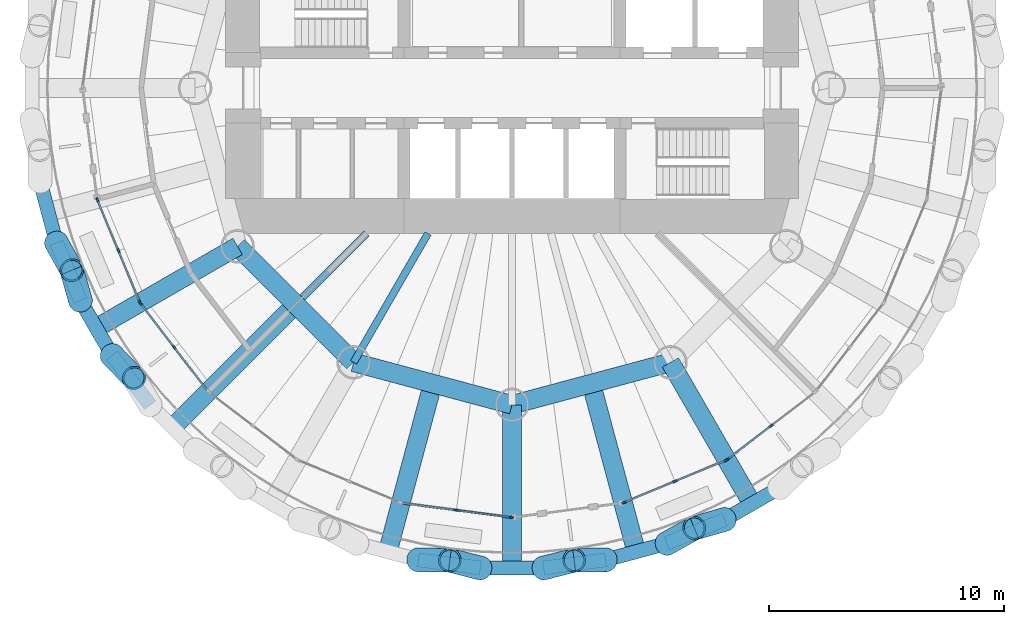
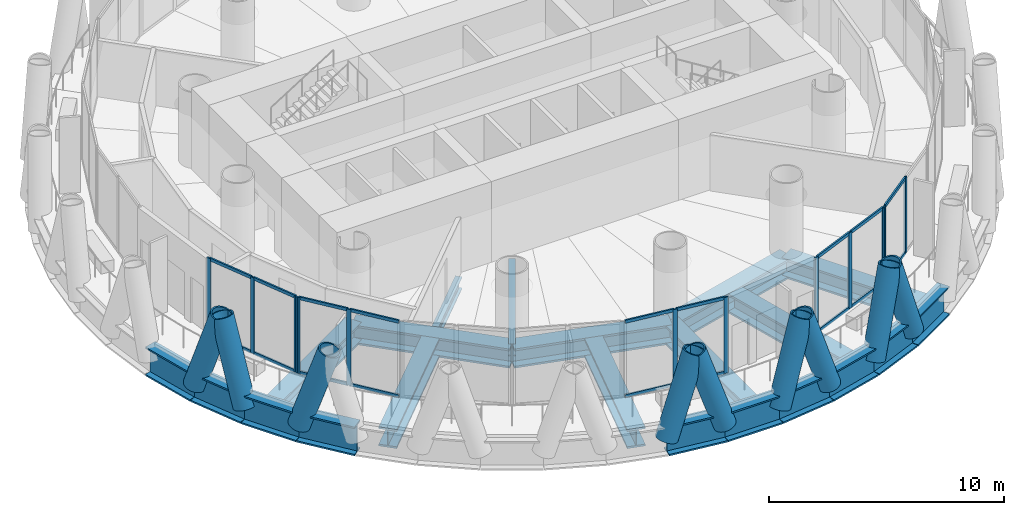
# One storey, part 2 of 13: 39 members, 21 beams, 5 elements without a shape of their own.
"""IFC4 building model written with IfcOpenShell, lengths in metres."""

from ifc_helpers import new_model, si_unit, direction, frame, origin, origin_2d, place, context, subcontext, project, spatial, rectangle, hollow_circle, i_section, extrude, material, material_profile, profile_set, type_object, element, aggregate, save


model = new_model("IFC4")

# Units and contexts
model_context = context("Model", 3, precision=1e-05, world=origin(), true_north=direction((0.0, 1.0)))
body_context = subcontext(model_context, "Body", "Model", "MODEL_VIEW")
ifc_project = project(units=[si_unit("LENGTHUNIT", "METRE"), si_unit("AREAUNIT", "SQUARE_METRE"), si_unit("VOLUMEUNIT", "CUBIC_METRE"), si_unit("PLANEANGLEUNIT", "RADIAN"), si_unit("MASSUNIT", "GRAM", prefix="KILO")], contexts=[model_context])

# Site, building, storey
site_placement = place(None, origin())
site = spatial("IfcSite", under=ifc_project, at=site_placement, CompositionType="ELEMENT")
building_placement = place(site_placement, origin())
building = spatial("IfcBuilding", under=site, at=building_placement, Name="Qaws Media Tower", CompositionType="ELEMENT")
storey_placement = place(building_placement, frame((0.0, 0.0, 282.199951171875)))
storey = spatial("IfcBuildingStorey", under=building, at=storey_placement, Name="L65", CompositionType="ELEMENT", Elevation=282.199951171875)

# Curtain wall, members
ifc_material_1 = material(Name="Aluminium and clear glass", Category="aluminium")
curtain_wall_type = type_object("IfcCurtainWallType", Name="Unitised curtain wall CW-D", PredefinedType="NOTDEFINED", material=ifc_material_1)
curtain_wall_1_placement = place(storey_placement, origin())
curtain_wall_1 = element("IfcCurtainWall", 1, at=curtain_wall_1_placement, inside=storey, type_object=curtain_wall_type, Name="CWD curtain wall L65-14", PredefinedType="NOTDEFINED")
ifc_material_2 = material(Name="Aluminium mullion", Category="aluminium")
ifc_material_profile_1 = material_profile(ifc_material_2, rectangle(XDim=0.080078125, YDim=0.199951171875, at=origin_2d()), Name="80x200")
ifc_profile_set_1 = profile_set([ifc_material_profile_1], Name="Aluminium mullion")
member_type_1 = type_object("IfcMemberType", Name="Curtain wall mullion 80x200", PredefinedType="MULLION", material=ifc_profile_set_1)
member_1_placement = place(storey_placement, frame((42.3388671875, 45.2265625, 0.0), z_axis=(0.0, 0.0, 1.0), x_axis=(0.923879498114, 0.382683515407, 0.0)))
member_1 = element("IfcMember", 2, at=member_1_placement, type_object=member_type_1, Name="CWD mullion 1", PredefinedType="MULLION", context=body_context, shape_type="SweptSolid", body=[
    extrude(rectangle(XDim=0.080078125, YDim=0.199951171875, at=origin_2d()), origin(), (0.0, 0.0, 1.0), 3.949951171875),
])
member_2_placement = place(storey_placement, frame((43.237548828125, 43.056884765625, 0.0), z_axis=(0.0, 0.0, 1.0), x_axis=(0.923879498114, 0.382683515407, 0.0)))
member_2 = element("IfcMember", 3, at=member_2_placement, type_object=member_type_1, Name="CWD mullion 2", PredefinedType="MULLION", context=body_context, shape_type="SweptSolid", body=[
    extrude(rectangle(XDim=0.080078125, YDim=0.199951171875, at=origin_2d()), origin(), (0.0, 0.0, 1.0), 3.949951171875),
])
member_3_placement = place(storey_placement, frame((44.136474609375, 40.886962890625, 0.0), z_axis=(0.0, 0.0, 1.0), x_axis=(0.923879498114, 0.382683515407, 0.0)))
member_3 = element("IfcMember", 4, at=member_3_placement, type_object=member_type_1, Name="CWD mullion 3", PredefinedType="MULLION", context=body_context, shape_type="SweptSolid", body=[
    extrude(rectangle(XDim=0.080078125, YDim=0.199951171875, at=origin_2d()), origin(), (0.0, 0.0, 1.0), 3.949951171875),
])

curtain_wall_2_placement = place(storey_placement, origin())
curtain_wall_2 = element("IfcCurtainWall", 5, at=curtain_wall_2_placement, inside=storey, type_object=curtain_wall_type, Name="CWD curtain wall L65-15", PredefinedType="NOTDEFINED")
member_4_placement = place(storey_placement, frame((44.176025390625, 40.818359375, 0.0), z_axis=(0.0, 0.0, 1.0), x_axis=(0.793353311997, 0.608761465882, 0.0)))
member_4 = element("IfcMember", 6, at=member_4_placement, type_object=member_type_1, Name="CWD mullion 1", PredefinedType="MULLION", context=body_context, shape_type="SweptSolid", body=[
    extrude(rectangle(XDim=0.080078125, YDim=0.199951171875, at=origin_2d()), origin(), (0.0, 0.0, 1.0), 3.949951171875),
])
member_5_placement = place(storey_placement, frame((45.60595703125, 38.955078125, 0.0), z_axis=(0.0, 0.0, 1.0), x_axis=(0.793353311997, 0.608761465882, 0.0)))
member_5 = element("IfcMember", 7, at=member_5_placement, type_object=member_type_1, Name="CWD mullion 2", PredefinedType="MULLION", context=body_context, shape_type="SweptSolid", body=[
    extrude(rectangle(XDim=0.080078125, YDim=0.199951171875, at=origin_2d()), origin(), (0.0, 0.0, 1.0), 3.949951171875),
])

curtain_wall_3_placement = place(storey_placement, origin())
curtain_wall_3 = element("IfcCurtainWall", 8, at=curtain_wall_3_placement, inside=storey, type_object=curtain_wall_type, Name="CWD curtain wall L65-18", PredefinedType="NOTDEFINED")
member_6_placement = place(storey_placement, frame((57.6318359375, 32.01171875, 0.0), z_axis=(0.0, 0.0, 1.0), x_axis=(0.130526101391, 0.991444873332, 0.0)))
member_6 = element("IfcMember", 9, at=member_6_placement, type_object=member_type_1, Name="CWD mullion 2", PredefinedType="MULLION", context=body_context, shape_type="SweptSolid", body=[
    extrude(rectangle(XDim=0.080078125, YDim=0.199951171875, at=origin_2d()), origin(), (0.0, 0.0, 1.0), 3.949951171875),
])
member_7_placement = place(storey_placement, frame((59.96044921875, 31.705322265625, 0.0), z_axis=(0.0, 0.0, 1.0), x_axis=(0.130526101391, 0.991444873332, 0.0)))
member_7 = element("IfcMember", 10, at=member_7_placement, type_object=member_type_1, Name="CWD mullion 3", PredefinedType="MULLION", context=body_context, shape_type="SweptSolid", body=[
    extrude(rectangle(XDim=0.080078125, YDim=0.199951171875, at=origin_2d()), origin(), (0.0, 0.0, 1.0), 3.949951171875),
])

curtain_wall_4_placement = place(storey_placement, origin())
curtain_wall_4 = element("IfcCurtainWall", 11, at=curtain_wall_4_placement, inside=storey, type_object=curtain_wall_type, Name="CWD curtain wall L65-20", PredefinedType="NOTDEFINED")
member_8_placement = place(storey_placement, frame((64.7734375, 32.3388671875, 0.0), z_axis=(0.0, 0.0, 1.0), x_axis=(-0.382683515407, 0.923879498114, 0.0)))
member_8 = element("IfcMember", 12, at=member_8_placement, type_object=member_type_1, Name="CWD mullion 1", PredefinedType="MULLION", context=body_context, shape_type="SweptSolid", body=[
    extrude(rectangle(XDim=0.080078125, YDim=0.199951171875, at=origin_2d()), origin(), (0.0, 0.0, 1.0), 3.949951171875),
])
member_9_placement = place(storey_placement, frame((66.943115234375, 33.237548828125, 0.0), z_axis=(0.0, 0.0, 1.0), x_axis=(-0.382683515407, 0.923879498114, 0.0)))
member_9 = element("IfcMember", 13, at=member_9_placement, type_object=member_type_1, Name="CWD mullion 2", PredefinedType="MULLION", context=body_context, shape_type="SweptSolid", body=[
    extrude(rectangle(XDim=0.080078125, YDim=0.199951171875, at=origin_2d()), origin(), (0.0, 0.0, 1.0), 3.949951171875),
])
member_10_placement = place(storey_placement, frame((69.113037109375, 34.136474609375, 0.0), z_axis=(0.0, 0.0, 1.0), x_axis=(-0.382683515407, 0.923879498114, 0.0)))
member_10 = element("IfcMember", 14, at=member_10_placement, type_object=member_type_1, Name="CWD mullion 3", PredefinedType="MULLION", context=body_context, shape_type="SweptSolid", body=[
    extrude(rectangle(XDim=0.080078125, YDim=0.199951171875, at=origin_2d()), origin(), (0.0, 0.0, 1.0), 3.949951171875),
])

curtain_wall_5_placement = place(storey_placement, origin())
curtain_wall_5 = element("IfcCurtainWall", 15, at=curtain_wall_5_placement, inside=storey, type_object=curtain_wall_type, Name="CWD curtain wall L65-21", PredefinedType="NOTDEFINED")
member_11_placement = place(storey_placement, frame((69.181640625, 34.176025390625, 0.0), z_axis=(0.0, 0.0, 1.0), x_axis=(-0.608761465882, 0.793353311997, 0.0)))
member_11 = element("IfcMember", 16, at=member_11_placement, type_object=member_type_1, Name="CWD mullion 1", PredefinedType="MULLION", context=body_context, shape_type="SweptSolid", body=[
    extrude(rectangle(XDim=0.080078125, YDim=0.199951171875, at=origin_2d()), origin(), (0.0, 0.0, 1.0), 3.949951171875),
])
member_12_placement = place(storey_placement, frame((71.044921875, 35.60595703125, 0.0), z_axis=(0.0, 0.0, 1.0), x_axis=(-0.608761465882, 0.793353311997, 0.0)))
member_12 = element("IfcMember", 17, at=member_12_placement, type_object=member_type_1, Name="CWD mullion 2", PredefinedType="MULLION", context=body_context, shape_type="SweptSolid", body=[
    extrude(rectangle(XDim=0.080078125, YDim=0.199951171875, at=origin_2d()), origin(), (0.0, 0.0, 1.0), 3.949951171875),
])

# Member
ifc_material_3 = material(Name="Aluminium transom", Category="aluminium")
ifc_material_profile_2 = material_profile(ifc_material_3, rectangle(XDim=0.080078125, YDim=0.159912109375, at=origin_2d()), Name="80x160")
ifc_profile_set_2 = profile_set([ifc_material_profile_2], Name="Aluminium transom")
member_type_2 = type_object("IfcMemberType", Name="Curtain wall transom 80x160", PredefinedType="USERDEFINED", material=ifc_profile_set_2)
member_13_placement = place(storey_placement, frame((42.354248046875, 45.189697265625, 0.0400390625), z_axis=(0.382681279912, -0.923880424084, 0.0), x_axis=(0.923880424084, 0.382681279912, 0.0)))
member_13 = element("IfcMember", 18, at=member_13_placement, type_object=member_type_2, Name="CWD transom 1.1", ObjectType="TRANSOM", PredefinedType="USERDEFINED", context=body_context, shape_type="SweptSolid", body=[
    extrude(rectangle(XDim=0.080078125, YDim=0.159912109375, at=origin_2d()), origin(), (0.0, 0.0, 1.0), 2.2685546875),
])

member_14_placement = place(storey_placement, frame((42.354248046875, 45.189697265625, 3.91015625), z_axis=(0.382681279912, -0.923880424084, 0.0), x_axis=(0.923880424084, 0.382681279912, 0.0)))
member_14 = element("IfcMember", 19, at=member_14_placement, type_object=member_type_2, Name="CWD transom 1.2", ObjectType="TRANSOM", PredefinedType="USERDEFINED", context=body_context, shape_type="SweptSolid", body=[
    extrude(rectangle(XDim=0.080078125, YDim=0.159912109375, at=origin_2d()), origin(), (0.0, 0.0, 1.0), 2.2685546875),
])

member_15_placement = place(storey_placement, frame((43.2529296875, 43.019775390625, 0.0400390625), z_axis=(0.382681279912, -0.923880424084, 0.0), x_axis=(0.923880424084, 0.382681279912, 0.0)))
member_15 = element("IfcMember", 20, at=member_15_placement, type_object=member_type_2, Name="CWD transom 2.1", ObjectType="TRANSOM", PredefinedType="USERDEFINED", context=body_context, shape_type="SweptSolid", body=[
    extrude(rectangle(XDim=0.080078125, YDim=0.159912109375, at=origin_2d()), origin(), (0.0, 0.0, 1.0), 2.2685546875),
])

member_16_placement = place(storey_placement, frame((43.2529296875, 43.019775390625, 3.91015625), z_axis=(0.382681279912, -0.923880424084, 0.0), x_axis=(0.923880424084, 0.382681279912, 0.0)))
member_16 = element("IfcMember", 21, at=member_16_placement, type_object=member_type_2, Name="CWD transom 2.2", ObjectType="TRANSOM", PredefinedType="USERDEFINED", context=body_context, shape_type="SweptSolid", body=[
    extrude(rectangle(XDim=0.080078125, YDim=0.159912109375, at=origin_2d()), origin(), (0.0, 0.0, 1.0), 2.2685546875),
])

aggregate(curtain_wall_1, [member_1, member_2, member_3, member_13, member_14, member_15, member_16])

member_17_placement = place(storey_placement, frame((44.200439453125, 40.78662109375, 0.0400390625), z_axis=(0.608779408493, -0.793339543824, 0.0), x_axis=(0.793339543824, 0.608779408493, 0.0)))
member_17 = element("IfcMember", 22, at=member_17_placement, type_object=member_type_2, Name="CWD transom 1.1", ObjectType="TRANSOM", PredefinedType="USERDEFINED", context=body_context, shape_type="SweptSolid", body=[
    extrude(rectangle(XDim=0.080078125, YDim=0.159912109375, at=origin_2d()), origin(), (0.0, 0.0, 1.0), 2.2685546875),
])

member_18_placement = place(storey_placement, frame((44.200439453125, 40.78662109375, 3.91015625), z_axis=(0.608779408493, -0.793339543824, 0.0), x_axis=(0.793339543824, 0.608779408493, 0.0)))
member_18 = element("IfcMember", 23, at=member_18_placement, type_object=member_type_2, Name="CWD transom 1.2", ObjectType="TRANSOM", PredefinedType="USERDEFINED", context=body_context, shape_type="SweptSolid", body=[
    extrude(rectangle(XDim=0.080078125, YDim=0.159912109375, at=origin_2d()), origin(), (0.0, 0.0, 1.0), 2.2685546875),
])

member_19_placement = place(storey_placement, frame((45.630126953125, 38.92333984375, 0.0400390625), z_axis=(0.608779408493, -0.793339543824, 0.0), x_axis=(0.793339543824, 0.608779408493, 0.0)))
member_19 = element("IfcMember", 24, at=member_19_placement, type_object=member_type_2, Name="CWD transom 2.1", ObjectType="TRANSOM", PredefinedType="USERDEFINED", context=body_context, shape_type="SweptSolid", body=[
    extrude(rectangle(XDim=0.080078125, YDim=0.159912109375, at=origin_2d()), origin(), (0.0, 0.0, 1.0), 2.2685546875),
])

member_20_placement = place(storey_placement, frame((45.630126953125, 38.92333984375, 3.91015625), z_axis=(0.608779408493, -0.793339543824, 0.0), x_axis=(0.793339543824, 0.608779408493, 0.0)))
member_20 = element("IfcMember", 25, at=member_20_placement, type_object=member_type_2, Name="CWD transom 2.2", ObjectType="TRANSOM", PredefinedType="USERDEFINED", context=body_context, shape_type="SweptSolid", body=[
    extrude(rectangle(XDim=0.080078125, YDim=0.159912109375, at=origin_2d()), origin(), (0.0, 0.0, 1.0), 2.2685546875),
])

aggregate(curtain_wall_2, [member_4, member_5, member_17, member_18, member_19, member_20])

member_21_placement = place(storey_placement, frame((55.343017578125, 32.313232421875, 0.0400390625), z_axis=(0.991441836118, -0.130549169259, 0.0), x_axis=(0.130549169259, 0.991441836118, 0.0)))
member_21 = element("IfcMember", 26, at=member_21_placement, type_object=member_type_2, Name="CWD transom 1.1", ObjectType="TRANSOM", PredefinedType="USERDEFINED", context=body_context, shape_type="SweptSolid", body=[
    extrude(rectangle(XDim=0.080078125, YDim=0.159912109375, at=origin_2d()), origin(), (0.0, 0.0, 1.0), 2.2685546875),
])

member_22_placement = place(storey_placement, frame((55.343017578125, 32.313232421875, 3.91015625), z_axis=(0.991441836118, -0.130549169259, 0.0), x_axis=(0.130549169259, 0.991441836118, 0.0)))
member_22 = element("IfcMember", 27, at=member_22_placement, type_object=member_type_2, Name="CWD transom 1.2", ObjectType="TRANSOM", PredefinedType="USERDEFINED", context=body_context, shape_type="SweptSolid", body=[
    extrude(rectangle(XDim=0.080078125, YDim=0.159912109375, at=origin_2d()), origin(), (0.0, 0.0, 1.0), 2.2685546875),
])

member_23_placement = place(storey_placement, frame((57.67138671875, 32.006591796875, 0.0400390625), z_axis=(0.991443670088, -0.130535240618, 0.0), x_axis=(0.130535240618, 0.991443670088, 0.0)))
member_23 = element("IfcMember", 28, at=member_23_placement, type_object=member_type_2, Name="CWD transom 2.1", ObjectType="TRANSOM", PredefinedType="USERDEFINED", context=body_context, shape_type="SweptSolid", body=[
    extrude(rectangle(XDim=0.080078125, YDim=0.159912109375, at=origin_2d()), origin(), (0.0, 0.0, 1.0), 2.268798828125),
])

member_24_placement = place(storey_placement, frame((57.67138671875, 32.006591796875, 3.91015625), z_axis=(0.991443670088, -0.130535240618, 0.0), x_axis=(0.130535240618, 0.991443670088, 0.0)))
member_24 = element("IfcMember", 29, at=member_24_placement, type_object=member_type_2, Name="CWD transom 2.2", ObjectType="TRANSOM", PredefinedType="USERDEFINED", context=body_context, shape_type="SweptSolid", body=[
    extrude(rectangle(XDim=0.080078125, YDim=0.159912109375, at=origin_2d()), origin(), (0.0, 0.0, 1.0), 2.268798828125),
])

aggregate(curtain_wall_3, [member_6, member_7, member_21, member_22, member_23, member_24])

member_25_placement = place(storey_placement, frame((64.810302734375, 32.354248046875, 0.0400390625), z_axis=(0.923880424084, 0.382681279912, 0.0), x_axis=(-0.382681279912, 0.923880424084, 0.0)))
member_25 = element("IfcMember", 30, at=member_25_placement, type_object=member_type_2, Name="CWD transom 1.1", ObjectType="TRANSOM", PredefinedType="USERDEFINED", context=body_context, shape_type="SweptSolid", body=[
    extrude(rectangle(XDim=0.080078125, YDim=0.159912109375, at=origin_2d()), origin(), (0.0, 0.0, 1.0), 2.2685546875),
])

member_26_placement = place(storey_placement, frame((64.810302734375, 32.354248046875, 3.91015625), z_axis=(0.923880424084, 0.382681279912, 0.0), x_axis=(-0.382681279912, 0.923880424084, 0.0)))
member_26 = element("IfcMember", 31, at=member_26_placement, type_object=member_type_2, Name="CWD transom 1.2", ObjectType="TRANSOM", PredefinedType="USERDEFINED", context=body_context, shape_type="SweptSolid", body=[
    extrude(rectangle(XDim=0.080078125, YDim=0.159912109375, at=origin_2d()), origin(), (0.0, 0.0, 1.0), 2.2685546875),
])

member_27_placement = place(storey_placement, frame((66.980224609375, 33.2529296875, 0.0400390625), z_axis=(0.923880424084, 0.382681279912, 0.0), x_axis=(-0.382681279912, 0.923880424084, 0.0)))
member_27 = element("IfcMember", 32, at=member_27_placement, type_object=member_type_2, Name="CWD transom 2.1", ObjectType="TRANSOM", PredefinedType="USERDEFINED", context=body_context, shape_type="SweptSolid", body=[
    extrude(rectangle(XDim=0.080078125, YDim=0.159912109375, at=origin_2d()), origin(), (0.0, 0.0, 1.0), 2.2685546875),
])

member_28_placement = place(storey_placement, frame((66.980224609375, 33.2529296875, 3.91015625), z_axis=(0.923880424084, 0.382681279912, 0.0), x_axis=(-0.382681279912, 0.923880424084, 0.0)))
member_28 = element("IfcMember", 33, at=member_28_placement, type_object=member_type_2, Name="CWD transom 2.2", ObjectType="TRANSOM", PredefinedType="USERDEFINED", context=body_context, shape_type="SweptSolid", body=[
    extrude(rectangle(XDim=0.080078125, YDim=0.159912109375, at=origin_2d()), origin(), (0.0, 0.0, 1.0), 2.2685546875),
])

aggregate(curtain_wall_4, [member_8, member_9, member_10, member_25, member_26, member_27, member_28])

member_29_placement = place(storey_placement, frame((69.21337890625, 34.200439453125, 0.0400390625), z_axis=(0.793339543824, 0.608779408493, 0.0), x_axis=(-0.608779408493, 0.793339543824, 0.0)))
member_29 = element("IfcMember", 34, at=member_29_placement, type_object=member_type_2, Name="CWD transom 1.1", ObjectType="TRANSOM", PredefinedType="USERDEFINED", context=body_context, shape_type="SweptSolid", body=[
    extrude(rectangle(XDim=0.080078125, YDim=0.159912109375, at=origin_2d()), origin(), (0.0, 0.0, 1.0), 2.2685546875),
])

member_30_placement = place(storey_placement, frame((69.21337890625, 34.200439453125, 3.91015625), z_axis=(0.793339543824, 0.608779408493, 0.0), x_axis=(-0.608779408493, 0.793339543824, 0.0)))
member_30 = element("IfcMember", 35, at=member_30_placement, type_object=member_type_2, Name="CWD transom 1.2", ObjectType="TRANSOM", PredefinedType="USERDEFINED", context=body_context, shape_type="SweptSolid", body=[
    extrude(rectangle(XDim=0.080078125, YDim=0.159912109375, at=origin_2d()), origin(), (0.0, 0.0, 1.0), 2.2685546875),
])

aggregate(curtain_wall_5, [member_11, member_12, member_29, member_30])

# Members
ifc_material_4 = material(Name="Steel S460", Category="steel")
ifc_material_profile_3 = material_profile(ifc_material_4, hollow_circle(Radius=0.508056640625, WallThickness=0.070068359375, at=origin_2d()), Name="CHS 1016x70")
ifc_profile_set_3 = profile_set([ifc_material_profile_3], Name="Steel S460")
member_type_3 = type_object("IfcMemberType", Name="Diagrid member CHS 1016x70", PredefinedType="USERDEFINED", material=ifc_profile_set_3)
for number, where, z_axis, x_axis, name in (
    (36, (40.587890625, 43.410400390625, -0.909912109375), (0.151985662051, -0.272535745282, 0.950065590407), (0.873371271872, 0.487055049731, 0.0), "DG3 diagrid L65 A14"),
    (37, (42.954833984375, 38.61083984375, -0.909912109375), (0.217338768313, -0.223941893707, 0.950059939178), (0.717607274643, 0.696447987563, 0.0), "DG3 diagrid L65 A15"),
):
    element("IfcMember", number, at=place(storey_placement, frame(where, z_axis=z_axis, x_axis=x_axis)), inside=storey, type_object=member_type_3, Name=name, ObjectType="DIAGRID", PredefinedType="USERDEFINED", context=body_context, shape_type="SweptSolid", body=[
        extrude(hollow_circle(Radius=0.508056640625, WallThickness=0.070068359375, at=origin_2d()), origin(), (0.0, 0.0, 1.0), 4.325927734375),
    ])
member_31_placement = place(storey_placement, frame((41.614013671875, 40.93310546875, -0.909912109375), z_axis=(-0.085221723716, 0.300138494517, 0.950081123861), x_axis=(-0.961973173283, -0.273143943523, 0.0)))
element("IfcMember", 38, at=member_31_placement, inside=storey, type_object=member_type_3, Name="DG3 diagrid L65 B15", ObjectType="DIAGRID", PredefinedType="USERDEFINED", context=body_context, shape_type="SweptSolid", body=[
    extrude(hollow_circle(Radius=0.508056640625, WallThickness=0.070068359375, at=origin_2d()), origin(), (0.0, 0.0, 1.0), 4.32568359375),
])
for number, where, z_axis, x_axis, name in (
    (39, (56.000732421875, 29.893798828125, -0.909912109375), (0.311988393673, -0.00462790309, 0.95007464166), (0.014831942847, 0.999890000686, 0.0), "DG3 diagrid L65 A18"),
    (40, (61.3408203125, 29.5439453125, -0.909912109375), (0.30256326722, 0.076247523599, 0.950074620477), (-0.244365246302, 0.969683260864, 0.0), "DG3 diagrid L65 A19"),
    (41, (58.6591796875, 29.5439453125, -0.909912109375), (-0.30256326722, 0.076247523599, 0.950074620477), (-0.244365246302, -0.969683260864, 0.0), "DG3 diagrid L65 B19"),
    (42, (66.589599609375, 30.587890625, -0.909912109375), (0.272535745282, 0.151985662051, 0.950065590407), (-0.487055049731, 0.873371271872, 0.0), "DG3 diagrid L65 A20"),
    (43, (63.999267578125, 29.893798828125, -0.909912109375), (-0.311988393673, -0.00462790309, 0.95007464166), (0.014831942847, -0.999890000686, 0.0), "DG3 diagrid L65 B20"),
):
    element("IfcMember", number, at=place(storey_placement, frame(where, z_axis=z_axis, x_axis=x_axis)), inside=storey, type_object=member_type_3, Name=name, ObjectType="DIAGRID", PredefinedType="USERDEFINED", context=body_context, shape_type="SweptSolid", body=[
        extrude(hollow_circle(Radius=0.508056640625, WallThickness=0.070068359375, at=origin_2d()), origin(), (0.0, 0.0, 1.0), 4.325927734375),
    ])
member_32_placement = place(storey_placement, frame((69.06689453125, 31.614013671875, -0.909912109375), z_axis=(-0.300138494517, -0.085221723716, 0.950081123861), x_axis=(0.273143943523, -0.961973173283, 0.0)))
element("IfcMember", 44, at=member_32_placement, inside=storey, type_object=member_type_3, Name="DG3 diagrid L65 B21", ObjectType="DIAGRID", PredefinedType="USERDEFINED", context=body_context, shape_type="SweptSolid", body=[
    extrude(hollow_circle(Radius=0.508056640625, WallThickness=0.070068359375, at=origin_2d()), origin(), (0.0, 0.0, 1.0), 4.32568359375),
])

# Beams
ifc_material_5 = material(Name="Steel S460", Category="steel")
ifc_material_profile_4 = material_profile(ifc_material_5, i_section(OverallWidth=0.60009765625, OverallDepth=1.5, WebThickness=0.030029296875, FlangeThickness=0.080078125, at=origin_2d()), Name="PG 1500x600")
ifc_profile_set_4 = profile_set([ifc_material_profile_4], Name="Steel S460")
beam_type_1 = type_object("IfcBeamType", Name="Edge ring beam PG 1500x600", PredefinedType="BEAM", material=ifc_profile_set_4)
beam_1_placement = place(storey_placement, frame((39.893798828125, 46.000732421875, -0.909912109375), z_axis=(0.258824062397, -0.965924481895, 0.0), x_axis=(0.965924481895, 0.258824062397, 0.0)))
element("IfcBeam", 45, at=beam_1_placement, inside=storey, type_object=beam_type_1, Name="RB5 edge ring beam L65-26", PredefinedType="BEAM", context=body_context, shape_type="SweptSolid", body=[
    extrude(i_section(OverallWidth=0.60009765625, OverallDepth=1.5, WebThickness=0.030029296875, FlangeThickness=0.080078125, at=origin_2d()), origin(), (0.0, 0.0, 1.0), 2.681640625),
])
beam_2_placement = place(storey_placement, frame((40.587890625, 43.410400390625, -0.909912109375), z_axis=(0.38268148812, -0.923880337842, 0.0), x_axis=(0.923880337842, 0.38268148812, 0.0)))
element("IfcBeam", 46, at=beam_2_placement, inside=storey, type_object=beam_type_1, Name="RB5 edge ring beam L65-27", PredefinedType="BEAM", context=body_context, shape_type="SweptSolid", body=[
    extrude(i_section(OverallWidth=0.60009765625, OverallDepth=1.5, WebThickness=0.030029296875, FlangeThickness=0.080078125, at=origin_2d()), origin(), (0.0, 0.0, 1.0), 2.681396484375),
])
for number, where, z_axis, x_axis, name in (
    (47, (41.614013671875, 40.93310546875, -0.909912109375), (0.500016677412, -0.866015774862, 0.0), (0.866015774862, 0.500016677412, 0.0), "RB5 edge ring beam L65-28"),
    (48, (42.954833984375, 38.61083984375, -0.909912109375), (0.608790803149, -0.793330799857, 0.0), (0.793330799857, 0.608790803149, 0.0), "RB5 edge ring beam L65-29"),
):
    element("IfcBeam", number, at=place(storey_placement, frame(where, z_axis=z_axis, x_axis=x_axis)), inside=storey, type_object=beam_type_1, Name=name, PredefinedType="BEAM", context=body_context, shape_type="SweptSolid", body=[
        extrude(i_section(OverallWidth=0.60009765625, OverallDepth=1.5, WebThickness=0.030029296875, FlangeThickness=0.080078125, at=origin_2d()), origin(), (0.0, 0.0, 1.0), 2.681640625),
    ])
beam_3_placement = place(storey_placement, frame((56.000732421875, 29.893798828125, -0.909912109375), z_axis=(0.991451506151, -0.130475710195, 0.0), x_axis=(0.130475710195, 0.991451506151, 0.0)))
element("IfcBeam", 49, at=beam_3_placement, inside=storey, type_object=beam_type_1, Name="RB5 edge ring beam L65-35", PredefinedType="BEAM", context=body_context, shape_type="SweptSolid", body=[
    extrude(i_section(OverallWidth=0.60009765625, OverallDepth=1.5, WebThickness=0.030029296875, FlangeThickness=0.080078125, at=origin_2d()), origin(), (0.0, 0.0, 1.0), 2.681396484375),
])
beam_4_placement = place(storey_placement, frame((58.6591796875, 29.5439453125, -0.909912109375), z_axis=(1.0, 0.0, 0.0), x_axis=(0.0, 1.0, 0.0)))
element("IfcBeam", 50, at=beam_4_placement, inside=storey, type_object=beam_type_1, Name="RB5 edge ring beam L65-36", PredefinedType="BEAM", context=body_context, shape_type="SweptSolid", body=[
    extrude(i_section(OverallWidth=0.60009765625, OverallDepth=1.5, WebThickness=0.030029296875, FlangeThickness=0.080078125, at=origin_2d()), origin(), (0.0, 0.0, 1.0), 2.681640625),
])
beam_5_placement = place(storey_placement, frame((61.3408203125, 29.5439453125, -0.909912109375), z_axis=(0.991451506151, 0.130475710195, 0.0), x_axis=(-0.130475710195, 0.991451506151, 0.0)))
element("IfcBeam", 51, at=beam_5_placement, inside=storey, type_object=beam_type_1, Name="RB5 edge ring beam L65-37", PredefinedType="BEAM", context=body_context, shape_type="SweptSolid", body=[
    extrude(i_section(OverallWidth=0.60009765625, OverallDepth=1.5, WebThickness=0.030029296875, FlangeThickness=0.080078125, at=origin_2d()), origin(), (0.0, 0.0, 1.0), 2.681396484375),
])
beam_6_placement = place(storey_placement, frame((63.999267578125, 29.893798828125, -0.909912109375), z_axis=(0.965924481895, 0.258824062397, 0.0), x_axis=(-0.258824062397, 0.965924481895, 0.0)))
element("IfcBeam", 52, at=beam_6_placement, inside=storey, type_object=beam_type_1, Name="RB5 edge ring beam L65-38", PredefinedType="BEAM", context=body_context, shape_type="SweptSolid", body=[
    extrude(i_section(OverallWidth=0.60009765625, OverallDepth=1.5, WebThickness=0.030029296875, FlangeThickness=0.080078125, at=origin_2d()), origin(), (0.0, 0.0, 1.0), 2.681640625),
])
beam_7_placement = place(storey_placement, frame((66.589599609375, 30.587890625, -0.909912109375), z_axis=(0.923880337842, 0.38268148812, 0.0), x_axis=(-0.38268148812, 0.923880337842, 0.0)))
element("IfcBeam", 53, at=beam_7_placement, inside=storey, type_object=beam_type_1, Name="RB5 edge ring beam L65-39", PredefinedType="BEAM", context=body_context, shape_type="SweptSolid", body=[
    extrude(i_section(OverallWidth=0.60009765625, OverallDepth=1.5, WebThickness=0.030029296875, FlangeThickness=0.080078125, at=origin_2d()), origin(), (0.0, 0.0, 1.0), 2.681396484375),
])
beam_8_placement = place(storey_placement, frame((69.06689453125, 31.614013671875, -0.909912109375), z_axis=(0.866015774862, 0.500016677412, 0.0), x_axis=(-0.500016677412, 0.866015774862, 0.0)))
element("IfcBeam", 54, at=beam_8_placement, inside=storey, type_object=beam_type_1, Name="RB5 edge ring beam L65-40", PredefinedType="BEAM", context=body_context, shape_type="SweptSolid", body=[
    extrude(i_section(OverallWidth=0.60009765625, OverallDepth=1.5, WebThickness=0.030029296875, FlangeThickness=0.080078125, at=origin_2d()), origin(), (0.0, 0.0, 1.0), 2.681640625),
])
ifc_material_6 = material(Name="Steel S460", Category="steel")
ifc_material_profile_5 = material_profile(ifc_material_6, i_section(OverallWidth=0.800048828125, OverallDepth=1.0, WebThickness=0.0400390625, FlangeThickness=0.10009765625, at=origin_2d()), Name="PG 1000x800")
ifc_profile_set_5 = profile_set([ifc_material_profile_5], Name="Steel S460")
beam_type_2 = type_object("IfcBeamType", Name="Inner ring girder PG 1000x800", PredefinedType="BEAM", material=ifc_profile_set_5)
beam_9_placement = place(storey_placement, frame((48.30859375, 43.25, -0.659912109375), z_axis=(0.707106781187, -0.707106781187, 0.0), x_axis=(0.707106781187, 0.707106781187, 0.0)))
element("IfcBeam", 55, at=beam_9_placement, inside=storey, type_object=beam_type_2, Name="B3 inner ring beam L65 I08-I09", PredefinedType="BEAM", context=body_context, shape_type="SweptSolid", body=[
    extrude(i_section(OverallWidth=0.800048828125, OverallDepth=1.0, WebThickness=0.0400390625, FlangeThickness=0.10009765625, at=origin_2d()), origin(), (0.0, 0.0, 1.0), 6.98828125),
])
for number, where, z_axis, x_axis, name in (
    (56, (53.25, 38.30859375, -0.659912109375), (0.965928090778, -0.258810593767, 0.0), (0.258810593767, 0.965928090778, 0.0), "B3 inner ring beam L65 I09-I10"),
    (57, (60.0, 36.5, -0.659912109375), (0.965928090778, 0.258810593767, 0.0), (-0.258810593767, 0.965928090778, 0.0), "B3 inner ring beam L65 I10-I11"),
):
    element("IfcBeam", number, at=place(storey_placement, frame(where, z_axis=z_axis, x_axis=x_axis)), inside=storey, type_object=beam_type_2, Name=name, PredefinedType="BEAM", context=body_context, shape_type="SweptSolid", body=[
        extrude(i_section(OverallWidth=0.800048828125, OverallDepth=1.0, WebThickness=0.0400390625, FlangeThickness=0.10009765625, at=origin_2d()), origin(), (0.0, 0.0, 1.0), 6.988037109375),
    ])
ifc_material_7 = material(Name="Steel S355", Category="steel")
ifc_material_profile_6 = material_profile(ifc_material_7, i_section(OverallWidth=0.304931640625, OverallDepth=0.6201171875, WebThickness=0.02099609375, FlangeThickness=0.0400390625, FilletRadius=0.027099609375, at=origin_2d()), Name="HE 600 M")
ifc_profile_set_6 = profile_set([ifc_material_profile_6], Name="Steel S355")
beam_type_3 = type_object("IfcBeamType", Name="Radial beam HE 600 M, core side", PredefinedType="BEAM", material=ifc_profile_set_6)
beam_10_placement = place(storey_placement, frame((53.800048828125, 43.800048828125, -0.469970703125), z_axis=(-0.707106781187, -0.707106781187, 0.0), x_axis=(0.707106781187, -0.707106781187, 0.0)))
element("IfcBeam", 58, at=beam_10_placement, inside=storey, type_object=beam_type_3, Name="B2 radial beam L65 16", PredefinedType="BEAM", context=body_context, shape_type="SweptSolid", body=[
    extrude(i_section(OverallWidth=0.304931640625, OverallDepth=0.6201171875, WebThickness=0.02099609375, FlangeThickness=0.0400390625, FilletRadius=0.027099609375, at=origin_2d()), origin(), (0.0, 0.0, 1.0), 3.871826171875),
])
beam_11_placement = place(storey_placement, frame((56.42041015625, 43.800048828125, -0.469970703125), z_axis=(-0.499990193304, -0.866031065609, 0.0), x_axis=(0.866031065609, -0.499990193304, 0.0)))
element("IfcBeam", 59, at=beam_11_placement, inside=storey, type_object=beam_type_3, Name="B2 radial beam L65 17", PredefinedType="BEAM", context=body_context, shape_type="SweptSolid", body=[
    extrude(i_section(OverallWidth=0.304931640625, OverallDepth=0.6201171875, WebThickness=0.02099609375, FlangeThickness=0.0400390625, FilletRadius=0.027099609375, at=origin_2d()), origin(), (0.0, 0.0, 1.0), 6.341064453125),
])
ifc_material_8 = material(Name="Steel S460", Category="steel")
ifc_material_profile_7 = material_profile(ifc_material_8, i_section(OverallWidth=0.800048828125, OverallDepth=1.0, WebThickness=0.0400390625, FlangeThickness=0.10009765625, at=origin_2d()), Name="PG 1000x800")
ifc_profile_set_7 = profile_set([ifc_material_profile_7], Name="Steel S460")
beam_type_4 = type_object("IfcBeamType", Name="Radial girder PG 1000x800", PredefinedType="BEAM", material=ifc_profile_set_7)
beam_12_placement = place(storey_placement, frame((48.30859375, 43.25, -0.659912109375), z_axis=(-0.866027195458, -0.499996896717, 0.0), x_axis=(0.499996896717, -0.866027195458, 0.0)))
element("IfcBeam", 60, at=beam_12_placement, inside=storey, type_object=beam_type_4, Name="B1 radial beam L65 15", PredefinedType="BEAM", context=body_context, shape_type="SweptSolid", body=[
    extrude(i_section(OverallWidth=0.800048828125, OverallDepth=1.0, WebThickness=0.0400390625, FlangeThickness=0.10009765625, at=origin_2d()), origin(), (0.0, 0.0, 1.0), 6.9560546875),
])
for number, where, z_axis, x_axis, name in (
    (61, (50.49658203125, 40.49658203125, -0.659912109375), (-0.707106781187, -0.707106781187, 0.0), (0.707106781187, -0.707106781187, 0.0), "B1 radial beam L65 16"),
    (62, (56.521484375, 37.01806640625, -0.659912109375), (-0.258818992096, -0.965925840492, 0.0), (0.965925840492, -0.258818992096, 0.0), "B1 radial beam L65 18"),
):
    element("IfcBeam", number, at=place(storey_placement, frame(where, z_axis=z_axis, x_axis=x_axis)), inside=storey, type_object=beam_type_4, Name=name, PredefinedType="BEAM", context=body_context, shape_type="SweptSolid", body=[
        extrude(i_section(OverallWidth=0.800048828125, OverallDepth=1.0, WebThickness=0.0400390625, FlangeThickness=0.10009765625, at=origin_2d()), origin(), (0.0, 0.0, 1.0), 7.01611328125),
    ])
beam_13_placement = place(storey_placement, frame((60.0, 36.5, -0.659912109375), z_axis=(0.0, -1.0, 0.0), x_axis=(1.0, 0.0, 0.0)))
element("IfcBeam", 63, at=beam_13_placement, inside=storey, type_object=beam_type_4, Name="B1 radial beam L65 19", PredefinedType="BEAM", context=body_context, shape_type="SweptSolid", body=[
    extrude(i_section(OverallWidth=0.800048828125, OverallDepth=1.0, WebThickness=0.0400390625, FlangeThickness=0.10009765625, at=origin_2d()), origin(), (0.0, 0.0, 1.0), 6.9560546875),
])
beam_14_placement = place(storey_placement, frame((63.478515625, 37.01806640625, -0.659912109375), z_axis=(0.258818992096, -0.965925840492, 0.0), x_axis=(0.965925840492, 0.258818992096, 0.0)))
element("IfcBeam", 64, at=beam_14_placement, inside=storey, type_object=beam_type_4, Name="B1 radial beam L65 20", PredefinedType="BEAM", context=body_context, shape_type="SweptSolid", body=[
    extrude(i_section(OverallWidth=0.800048828125, OverallDepth=1.0, WebThickness=0.0400390625, FlangeThickness=0.10009765625, at=origin_2d()), origin(), (0.0, 0.0, 1.0), 7.01611328125),
])
beam_15_placement = place(storey_placement, frame((66.75, 38.30859375, -0.659912109375), z_axis=(0.499996896717, -0.866027195458, 0.0), x_axis=(0.866027195458, 0.499996896717, 0.0)))
element("IfcBeam", 65, at=beam_15_placement, inside=storey, type_object=beam_type_4, Name="B1 radial beam L65 21", PredefinedType="BEAM", context=body_context, shape_type="SweptSolid", body=[
    extrude(i_section(OverallWidth=0.800048828125, OverallDepth=1.0, WebThickness=0.0400390625, FlangeThickness=0.10009765625, at=origin_2d()), origin(), (0.0, 0.0, 1.0), 6.9560546875),
])

save(model, "model.ifc")
